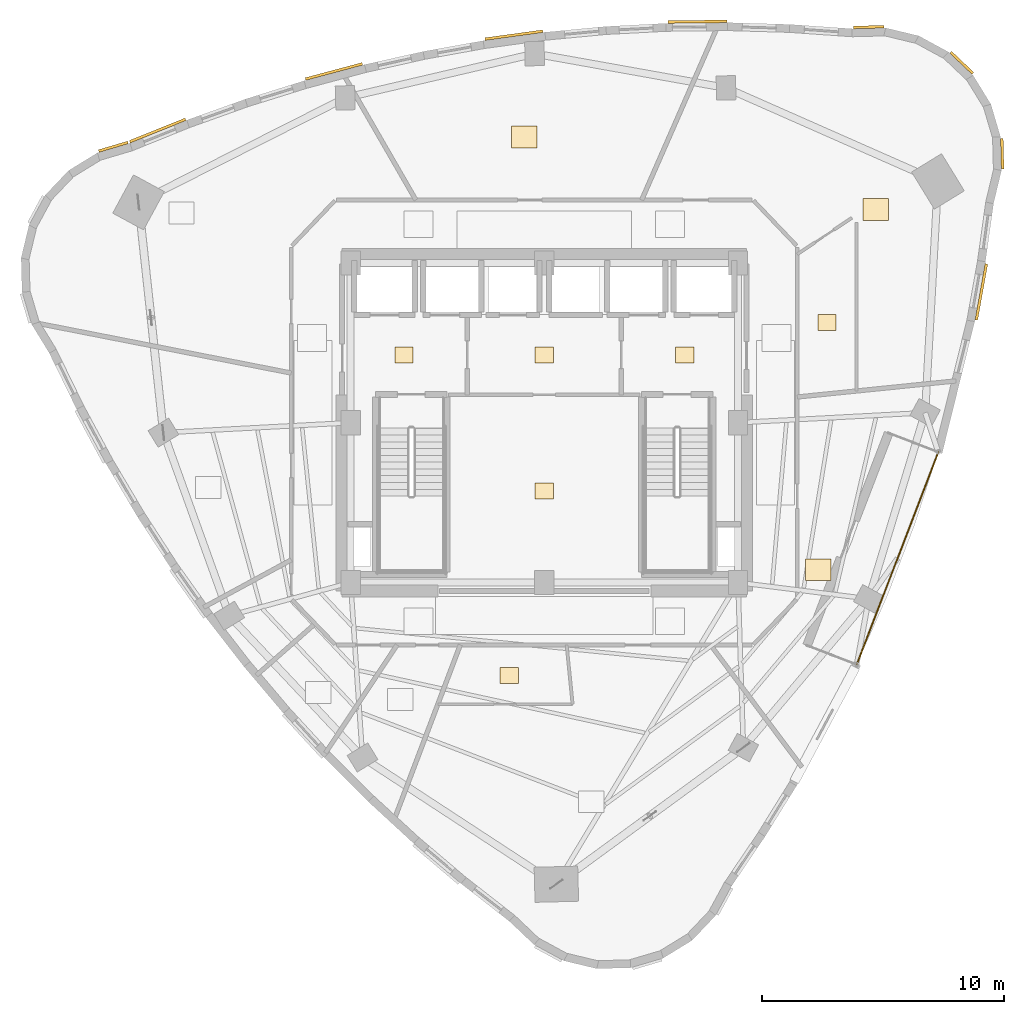
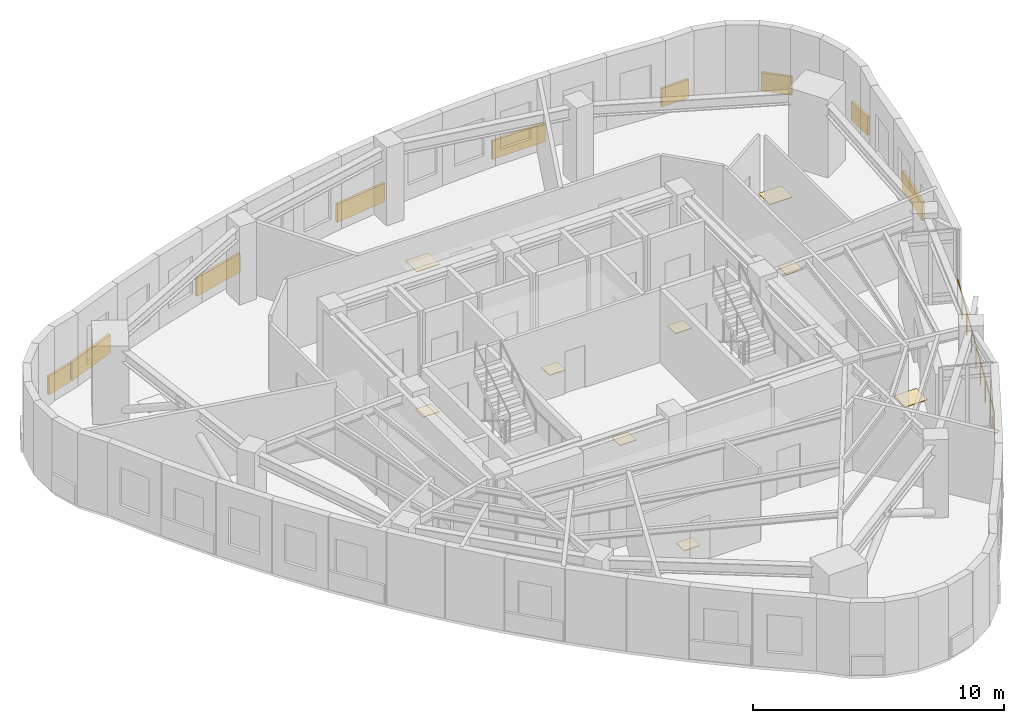
# One storey, part 10 of 10: 18 coverings, 1 railing.
"""IFC4 building model written with IfcOpenShell, lengths in metres."""

from ifc_helpers import new_model, si_unit, direction, frame, origin, origin_2d, place, context, subcontext, project, spatial, rectangle, circle, extrude, material, layer, layer_set, type_object, element, save


model = new_model("IFC4")

# Units and contexts
model_context = context("Model", 3, precision=1e-05, world=origin(), true_north=direction((0.0, 1.0)))
body_context = subcontext(model_context, "Body", "Model", "MODEL_VIEW")
ifc_project = project(units=[si_unit("LENGTHUNIT", "METRE"), si_unit("AREAUNIT", "SQUARE_METRE"), si_unit("VOLUMEUNIT", "CUBIC_METRE"), si_unit("PLANEANGLEUNIT", "RADIAN"), si_unit("MASSUNIT", "GRAM", prefix="KILO")], contexts=[model_context])

# Site, building, storey
site_placement = place(None, origin())
site = spatial("IfcSite", under=ifc_project, at=site_placement, CompositionType="ELEMENT")
building_placement = place(site_placement, origin())
building = spatial("IfcBuilding", under=site, at=building_placement, Name="Ndelora Gate Hotel", CompositionType="ELEMENT")
storey_placement = place(building_placement, frame((0.0, 0.0, 243.550048828125)))
storey = spatial("IfcBuildingStorey", under=building, at=storey_placement, Name="L61", CompositionType="ELEMENT", Elevation=243.550048828125)

# Coverings
ifc_material_1 = material(Name="Terracotta Fired Clay Brick Slip Cladding", Category="masonry")
ifc_layer_1 = layer(ifc_material_1, 0.110107421875)
ifc_layer_set_1 = layer_set([ifc_layer_1], Name="Terracotta Fired Clay Brick Slip Cladding")
covering_type_1 = type_object("IfcCoveringType", Name="COV-CLAD-BRK", PredefinedType="CLADDING", material=ifc_layer_set_1)
covering_1_placement = place(storey_placement, frame((-17.797119140625, 11.3984375, 0.10009765625), z_axis=(0.0, 0.0, 1.0), x_axis=(0.958819734868, 0.284015344704, 0.0)))
element("IfcCovering", 1, at=covering_1_placement, inside=storey, type_object=covering_type_1, Name="L61 Rounded-Corner Brick Cladding Band 1", PredefinedType="CLADDING", context=body_context, shape_type="SweptSolid", body=[
    extrude(rectangle(XDim=1.257080078125, YDim=0.110107421875, at=origin_2d()), origin(), (0.0, 0.0, 1.0), 0.89990234375),
])
covering_2_placement = place(storey_placement, frame((18.0537109375, 5.40087890625, 0.10009765625), z_axis=(0.0, 0.0, 1.0), x_axis=(0.176569392453, 0.984288194407, 0.0)))
element("IfcCovering", 2, at=covering_2_placement, inside=storey, type_object=covering_type_1, Name="L61 Rounded-Corner Brick Cladding Band 37", PredefinedType="CLADDING", context=body_context, shape_type="SweptSolid", body=[
    extrude(rectangle(XDim=2.35888671875, YDim=0.110107421875, at=origin_2d()), origin(), (0.0, 0.0, 1.0), 0.89990234375),
])
covering_3_placement = place(storey_placement, frame((18.91650390625, 11.108642578125, 0.10009765625), z_axis=(0.0, 0.0, 1.0), x_axis=(-0.026176948308, 0.999657324976, 0.0)))
element("IfcCovering", 3, at=covering_3_placement, inside=storey, type_object=covering_type_1, Name="L61 Rounded-Corner Brick Cladding Band 40", PredefinedType="CLADDING", context=body_context, shape_type="SweptSolid", body=[
    extrude(rectangle(XDim=1.257080078125, YDim=0.110107421875, at=origin_2d()), origin(), (0.0, 0.0, 1.0), 0.89990234375),
])
covering_4_placement = place(storey_placement, frame((17.24365234375, 14.8662109375, 0.10009765625), z_axis=(0.0, 0.0, 1.0), x_axis=(-0.725374371012, 0.688354575694, 0.0)))
element("IfcCovering", 4, at=covering_4_placement, inside=storey, type_object=covering_type_1, Name="L61 Rounded-Corner Brick Cladding Band 43", PredefinedType="CLADDING", context=body_context, shape_type="SweptSolid", body=[
    extrude(rectangle(XDim=1.258056640625, YDim=0.110107421875, at=origin_2d()), origin(), (0.0, 0.0, 1.0), 0.89990234375),
])
covering_5_placement = place(storey_placement, frame((13.40380859375, 16.340087890625, 0.10009765625), z_axis=(0.0, 0.0, 1.0), x_axis=(0.999657324976, 0.026176948308, 0.0)))
element("IfcCovering", 5, at=covering_5_placement, inside=storey, type_object=covering_type_1, Name="L61 Rounded-Corner Brick Cladding Band 46", PredefinedType="CLADDING", context=body_context, shape_type="SweptSolid", body=[
    extrude(rectangle(XDim=1.257080078125, YDim=0.110107421875, at=origin_2d()), origin(), (0.0, 0.0, 1.0), 0.89990234375),
])
covering_6_placement = place(storey_placement, frame((6.322998046875, 16.563720703125, 0.10009765625), z_axis=(0.0, 0.0, 1.0), x_axis=(0.999937615001, 0.011169874929, 0.0)))
element("IfcCovering", 6, at=covering_6_placement, inside=storey, type_object=covering_type_1, Name="L61 Rounded-Corner Brick Cladding Band 49", PredefinedType="CLADDING", context=body_context, shape_type="SweptSolid", body=[
    extrude(rectangle(XDim=2.443115234375, YDim=0.110107421875, at=origin_2d()), origin(), (0.0, 0.0, 1.0), 0.89990234375),
])
covering_7_placement = place(storey_placement, frame((-1.257080078125, 16.006591796875, 0.10009765625), z_axis=(0.0, 0.0, 1.0), x_axis=(0.990747840471, 0.135715572434, 0.0)))
element("IfcCovering", 7, at=covering_7_placement, inside=storey, type_object=covering_type_1, Name="L61 Rounded-Corner Brick Cladding Band 52", PredefinedType="CLADDING", context=body_context, shape_type="SweptSolid", body=[
    extrude(rectangle(XDim=2.416015625, YDim=0.110107421875, at=origin_2d()), origin(), (0.0, 0.0, 1.0), 0.89990234375),
])
covering_8_placement = place(storey_placement, frame((-8.688232421875, 14.5078125, 0.10009765625), z_axis=(0.0, 0.0, 1.0), x_axis=(0.965970984022, 0.258650455301, 0.0)))
element("IfcCovering", 8, at=covering_8_placement, inside=storey, type_object=covering_type_1, Name="L61 Rounded-Corner Brick Cladding Band 55", PredefinedType="CLADDING", context=body_context, shape_type="SweptSolid", body=[
    extrude(rectangle(XDim=2.428955078125, YDim=0.110107421875, at=origin_2d()), origin(), (0.0, 0.0, 1.0), 0.89990234375),
])
covering_9_placement = place(storey_placement, frame((-15.968994140625, 12.067626953125, 0.10009765625), z_axis=(0.0, 0.0, 1.0), x_axis=(0.927249221629, 0.374444763601, 0.0)))
element("IfcCovering", 9, at=covering_9_placement, inside=storey, type_object=covering_type_1, Name="L61 Rounded-Corner Brick Cladding Band 58", PredefinedType="CLADDING", context=body_context, shape_type="SweptSolid", body=[
    extrude(rectangle(XDim=2.48193359375, YDim=0.110107421875, at=origin_2d()), origin(), (0.0, 0.0, 1.0), 0.89990234375),
])
ifc_material_2 = material(Name="Engineered Highland Oak Parquet", Category="wood")
ifc_layer_2 = layer(ifc_material_2, 0.030029296875)
ifc_layer_set_2 = layer_set([ifc_layer_2], Name="Engineered Highland Oak Parquet")
covering_type_2 = type_object("IfcCoveringType", Name="COV-FLR-PARQ", PredefinedType="FLOORING", material=ifc_layer_set_2)
for number, where, z_axis, x_axis, name in (
    (10, (11.322021484375, -6.072265625, 0.0), (0.0, 0.0, 1.0), (1.0, 0.0, 0.0), "L61 Sky Garden Tea Dining Room Oak Parquet Flooring"),
    (11, (13.683349609375, 8.806884765625, 0.0), (0.0, 0.0, 1.0), (1.0, 0.0, 0.0), "L61 Corner Diplomatic Two-Bay Suite 6402 Oak Parquet Flooring"),
    (12, (-0.82080078125, 11.80078125, 0.0), (0.0, 0.0, 1.0), (1.0, 0.0, 0.0), "L61 Private Collectors Art Library Oak Parquet Flooring"),
):
    element("IfcCovering", number, at=place(storey_placement, frame(where, z_axis=z_axis, x_axis=x_axis)), inside=storey, type_object=covering_type_2, Name=name, PredefinedType="FLOORING", context=body_context, shape_type="SweptSolid", body=[
        extrude(rectangle(XDim=1.050048828125, YDim=0.89990234375, at=origin_2d()), origin(), (0.0, 0.0, 1.0), 0.030029296875),
    ])
ifc_material_3 = material(Name="Non-Slip Porcelain Wet-Room Tile", Category="ceramic")
ifc_layer_3 = layer(ifc_material_3, 0.02490234375)
ifc_layer_set_3 = layer_set([ifc_layer_3], Name="Non-Slip Porcelain Wet-Room Tile")
covering_type_3 = type_object("IfcCoveringType", Name="COV-FLR-TILE", PredefinedType="FLOORING", material=ifc_layer_set_3)
for number, where, z_axis, x_axis, name in (
    (13, (-5.800048828125, 2.800048828125, 0.0), (0.0, 0.0, 1.0), (1.0, 0.0, 0.0), "L61 Firefighting Lift Lobby West Porcelain Tile Flooring"),
    (14, (5.800048828125, 2.800048828125, 0.0), (0.0, 0.0, 1.0), (1.0, 0.0, 0.0), "L61 Firefighting Lift Lobby East Porcelain Tile Flooring"),
    (15, (0.0, 2.800048828125, 0.0), (0.0, 0.0, 1.0), (1.0, 0.0, 0.0), "L61 Central Passenger Lift Lobby Porcelain Tile Flooring"),
    (16, (0.0, -2.824951171875, 0.0), (0.0, 0.0, 1.0), (1.0, 0.0, 0.0), "L61 Core Electrical and Linen Service Store Porcelain Tile Flooring"),
    (17, (-1.447998046875, -10.4462890625, 0.0), (0.0, 0.0, 1.0), (1.0, 0.0, 0.0), "L61 En-suite Bathroom 6401 Porcelain Tile Flooring"),
    (18, (11.675048828125, 4.14208984375, 0.0), (0.0, 0.0, 1.0), (1.0, 0.0, 0.0), "L61 En-suite Bathroom 6402 Porcelain Tile Flooring"),
):
    element("IfcCovering", number, at=place(storey_placement, frame(where, z_axis=z_axis, x_axis=x_axis)), inside=storey, type_object=covering_type_3, Name=name, PredefinedType="FLOORING", context=body_context, shape_type="SweptSolid", body=[
        extrude(rectangle(XDim=0.75, YDim=0.64990234375, at=origin_2d()), origin(), (0.0, 0.0, 1.0), 0.02490234375),
    ])

# Railing
ifc_material_4 = material(Name="Laminated Safety Glass and Bronze Top Rail", Category="glass")
ifc_layer_4 = layer(ifc_material_4, 0.070068359375)
ifc_layer_set_4 = layer_set([ifc_layer_4], Name="Laminated Safety Glass and Bronze Top Rail")
railing_type = type_object("IfcRailingType", Name="RL-BAL-1150", PredefinedType="BALUSTRADE", material=ifc_layer_set_4)
railing_placement = place(storey_placement, frame((12.907470703125, -9.989013671875, 0.0)))
element("IfcRailing", 19, at=railing_placement, inside=storey, type_object=railing_type, Name="L61 Sky-Garden Loggia Terrace Balustrade", PredefinedType="BALUSTRADE", context=body_context, shape_type="SweptSolid", body=[
    extrude(circle(Radius=0.02392578125, at=origin_2d()), frame((0.0, 0.0, 1.1357421875), z_axis=(0.358368113904, 0.933580363406, 0.0), x_axis=(-0.933580363406, 0.358368113904, 0.0)), (0.0, 0.0, 1.0), 9.39990234375),
    extrude(circle(Radius=0.02099609375, at=origin_2d()), origin(), (0.0, 0.0, 1.0), 1.11181640625),
    extrude(circle(Radius=0.02099609375, at=origin_2d()), frame((0.421142578125, 1.096923828125, 0.0)), (0.0, 0.0, 1.0), 1.11181640625),
    extrude(circle(Radius=0.02099609375, at=origin_2d()), frame((0.84228515625, 2.19384765625, 0.0)), (0.0, 0.0, 1.0), 1.11181640625),
    extrude(circle(Radius=0.02099609375, at=origin_2d()), frame((1.26318359375, 3.290771484375, 0.0)), (0.0, 0.0, 1.0), 1.11181640625),
    extrude(circle(Radius=0.02099609375, at=origin_2d()), frame((1.684326171875, 4.3876953125, 0.0)), (0.0, 0.0, 1.0), 1.11181640625),
    extrude(circle(Radius=0.02099609375, at=origin_2d()), frame((2.10546875, 5.48486328125, 0.0)), (0.0, 0.0, 1.0), 1.11181640625),
    extrude(circle(Radius=0.02099609375, at=origin_2d()), frame((2.5263671875, 6.581787109375, 0.0)), (0.0, 0.0, 1.0), 1.11181640625),
    extrude(circle(Radius=0.02099609375, at=origin_2d()), frame((2.947509765625, 7.6787109375, 0.0)), (0.0, 0.0, 1.0), 1.11181640625),
    extrude(circle(Radius=0.02099609375, at=origin_2d()), frame((3.36865234375, 8.775634765625, 0.0)), (0.0, 0.0, 1.0), 1.11181640625),
])

save(model, "model.ifc")
